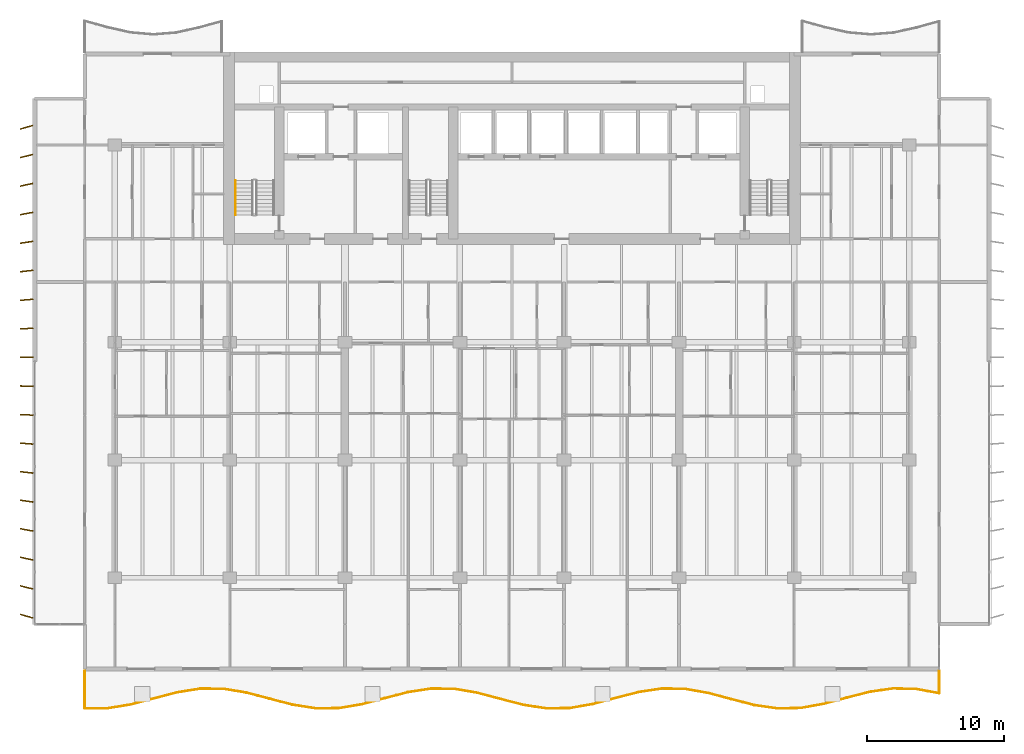
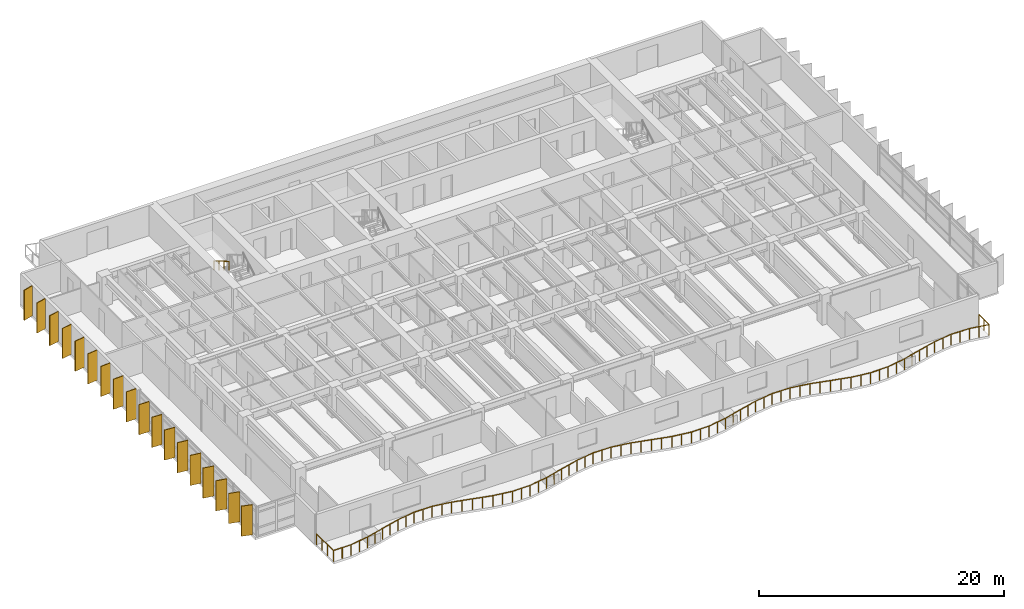
# One storey, part 16 of 19: 18 shading devices, 2 railings.
"""IFC4 building model written with IfcOpenShell, lengths in metres."""

from ifc_helpers import new_model, si_unit, direction, frame, origin, origin_2d, place, context, subcontext, project, spatial, rectangle, circle, extrude, material, material_profile, profile_set, type_object, element, save


model = new_model("IFC4")

# Units and contexts
model_context = context("Model", 3, precision=1e-05, world=origin(), true_north=direction((0.0, 1.0)))
body_context = subcontext(model_context, "Body", "Model", "MODEL_VIEW")
ifc_project = project(units=[si_unit("LENGTHUNIT", "METRE"), si_unit("AREAUNIT", "SQUARE_METRE"), si_unit("VOLUMEUNIT", "CUBIC_METRE"), si_unit("PLANEANGLEUNIT", "RADIAN"), si_unit("MASSUNIT", "GRAM", prefix="KILO")], contexts=[model_context])

# Site, building, storey
site_placement = place(None, origin())
site = spatial("IfcSite", under=ifc_project, at=site_placement, CompositionType="ELEMENT")
building_placement = place(site_placement, origin())
building = spatial("IfcBuilding", under=site, at=building_placement, Name="Caelmar Bay Residences", CompositionType="ELEMENT")
storey_placement = place(building_placement, frame((0.0, 0.0, 94.5)))
storey = spatial("IfcBuildingStorey", under=building, at=storey_placement, Name="L25", CompositionType="ELEMENT", Elevation=94.5)

# Railings
ifc_material_1 = material(Name="Anodised bronze handrail with laminated hurricane glass infill", Category="glass")
railing_type_1 = type_object("IfcRailingType", Name="RL-BAL-1100", PredefinedType="BALUSTRADE", material=ifc_material_1)
railing_1_placement = place(storey_placement, frame((7.699951171875, 5.39990234375, 0.0)))
element("IfcRailing", 1, at=railing_1_placement, inside=storey, type_object=railing_type_1, Name="L25 south Balcony Balustrade", PredefinedType="BALUSTRADE", context=body_context, shape_type="SweptSolid", body=[
    extrude(circle(Radius=0.02392578125, at=origin_2d()), frame((0.0, 0.0, 1.076171875), z_axis=(0.0, -1.0, 0.0), x_axis=(1.0, 0.0, 0.0)), (0.0, 0.0, 1.0), 2.733154296875),
    extrude(circle(Radius=0.02392578125, at=origin_2d()), frame((0.0, -2.733154296875, 1.076171875), z_axis=(0.999999958089, 0.000289519386, 0.0), x_axis=(-0.000289519386, 0.999999958089, 0.0)), (0.0, 0.0, 1.0), 1.6865234375),
    extrude(circle(Radius=0.02392578125, at=origin_2d()), frame((1.6865234375, -2.732666015625, 1.076171875), z_axis=(0.986974579676, 0.160876284991, 0.0), x_axis=(-0.160876284991, 0.986974579676, 0.0)), (0.0, 0.0, 1.0), 1.708740234375),
    extrude(circle(Radius=0.02392578125, at=origin_2d()), frame((3.373046875, -2.457763671875, 1.076171875), z_axis=(0.967139791751, 0.254245202927, 0.0), x_axis=(-0.254245202927, 0.967139791751, 0.0)), (0.0, 0.0, 1.0), 1.743896484375),
    extrude(circle(Radius=0.02392578125, at=origin_2d()), frame((5.0595703125, -2.014404296875, 1.076171875), z_axis=(0.967440029978, 0.253100352421, 0.0), x_axis=(-0.253100352421, 0.967440029978, 0.0)), (0.0, 0.0, 1.0), 1.742919921875),
    extrude(circle(Radius=0.02392578125, at=origin_2d()), frame((6.745849609375, -1.5732421875, 1.076171875), z_axis=(0.9874914269, 0.157672704672, 0.0), x_axis=(-0.157672704672, 0.9874914269, 0.0)), (0.0, 0.0, 1.0), 1.7080078125),
    extrude(circle(Radius=0.02392578125, at=origin_2d()), frame((8.432373046875, -1.303955078125, 1.076171875), z_axis=(0.999993451511, -0.003618968774, 0.0), x_axis=(0.003618968774, 0.999993451511, 0.0)), (0.0, 0.0, 1.0), 1.6865234375),
    extrude(circle(Radius=0.02392578125, at=origin_2d()), frame((10.118896484375, -1.31005859375, 1.076171875), z_axis=(0.986563231063, -0.163379898138, 0.0), x_axis=(0.163379898138, 0.986563231063, 0.0)), (0.0, 0.0, 1.0), 1.70947265625),
    extrude(circle(Radius=0.02392578125, at=origin_2d()), frame((11.805419921875, -1.58935546875, 1.076171875), z_axis=(0.966898439916, -0.255161530974, 0.0), x_axis=(0.255161530974, 0.966898439916, 0.0)), (0.0, 0.0, 1.0), 1.744140625),
    extrude(circle(Radius=0.02392578125, at=origin_2d()), frame((13.491943359375, -2.034423828125, 1.076171875), z_axis=(0.967688638473, -0.252148168682, 0.0), x_axis=(0.252148168682, 0.967688638473, 0.0)), (0.0, 0.0, 1.0), 1.742919921875),
    extrude(circle(Radius=0.02392578125, at=origin_2d()), frame((15.178466796875, -2.473876953125, 1.076171875), z_axis=(0.987910938924, -0.155022504023, 0.0), x_axis=(0.155022504023, 0.987910938924, 0.0)), (0.0, 0.0, 1.0), 1.707275390625),
    extrude(circle(Radius=0.02392578125, at=origin_2d()), frame((16.864990234375, -2.738525390625, 1.076171875), z_axis=(0.999975860287, 0.006948297813, 0.0), x_axis=(-0.006948297813, 0.999975860287, 0.0)), (0.0, 0.0, 1.0), 1.6865234375),
    extrude(circle(Radius=0.02392578125, at=origin_2d()), frame((18.551513671875, -2.726806640625, 1.076171875), z_axis=(0.986118588389, 0.166042553684, 0.0), x_axis=(-0.166042553684, 0.986118588389, 0.0)), (0.0, 0.0, 1.0), 1.7099609375),
    extrude(circle(Radius=0.02392578125, at=origin_2d()), frame((20.23779296875, -2.44287109375, 1.076171875), z_axis=(0.966690972381, 0.255946408292, 0.0), x_axis=(-0.255946408292, 0.966690972381, 0.0)), (0.0, 0.0, 1.0), 1.74462890625),
    extrude(circle(Radius=0.02392578125, at=origin_2d()), frame((21.92431640625, -1.996337890625, 1.076171875), z_axis=(0.967927523166, 0.251229595981, 0.0), x_axis=(-0.251229595981, 0.967927523166, 0.0)), (0.0, 0.0, 1.0), 1.742431640625),
    extrude(circle(Radius=0.02392578125, at=origin_2d()), frame((23.61083984375, -1.55859375, 1.076171875), z_axis=(0.988323683, 0.152368952287, 0.0), x_axis=(-0.152368952287, 0.988323683, 0.0)), (0.0, 0.0, 1.0), 1.70654296875),
    extrude(circle(Radius=0.02392578125, at=origin_2d()), frame((25.29736328125, -1.298583984375, 1.076171875), z_axis=(0.999945688105, -0.010422132244, 0.0), x_axis=(0.010422132244, 0.999945688105, 0.0)), (0.0, 0.0, 1.0), 1.6865234375),
    extrude(circle(Radius=0.02392578125, at=origin_2d()), frame((26.98388671875, -1.316162109375, 1.076171875), z_axis=(0.985698872847, -0.168516266478, 0.0), x_axis=(0.168516266478, 0.985698872847, 0.0)), (0.0, 0.0, 1.0), 1.7109375),
    extrude(circle(Radius=0.02392578125, at=origin_2d()), frame((28.67041015625, -1.6044921875, 1.076171875), z_axis=(0.966448234949, -0.256861459086, 0.0), x_axis=(0.256861459086, 0.966448234949, 0.0)), (0.0, 0.0, 1.0), 1.7451171875),
    extrude(circle(Radius=0.02392578125, at=origin_2d()), frame((30.35693359375, -2.052734375, 1.076171875), z_axis=(0.968224786027, -0.250081514156, 0.0), x_axis=(0.250081514156, 0.968224786027, 0.0)), (0.0, 0.0, 1.0), 1.74169921875),
    extrude(circle(Radius=0.02392578125, at=origin_2d()), frame((32.043212890625, -2.48828125, 1.076171875), z_axis=(0.988729632771, -0.149712101314, 0.0), x_axis=(0.149712101314, 0.988729632771, 0.0)), (0.0, 0.0, 1.0), 1.705810546875),
    extrude(circle(Radius=0.02392578125, at=origin_2d()), frame((33.729736328125, -2.74365234375, 1.076171875), z_axis=(0.999905452302, 0.013750871159, 0.0), x_axis=(-0.013750871159, 0.999905452302, 0.0)), (0.0, 0.0, 1.0), 1.686767578125),
    extrude(circle(Radius=0.02392578125, at=origin_2d()), frame((35.416259765625, -2.720458984375, 1.076171875), z_axis=(0.985269273516, 0.17101011276, 0.0), x_axis=(-0.17101011276, 0.985269273516, 0.0)), (0.0, 0.0, 1.0), 1.711669921875),
    extrude(circle(Radius=0.02392578125, at=origin_2d()), frame((37.102783203125, -2.427734375, 1.076171875), z_axis=(0.966239582517, 0.257645238998, 0.0), x_axis=(-0.257645238998, 0.966239582517, 0.0)), (0.0, 0.0, 1.0), 1.745361328125),
    extrude(circle(Radius=0.02392578125, at=origin_2d()), frame((38.789306640625, -1.97802734375, 1.076171875), z_axis=(0.968504525457, 0.248995952115, 0.0), x_axis=(-0.248995952115, 0.968504525457, 0.0)), (0.0, 0.0, 1.0), 1.741455078125),
    extrude(circle(Radius=0.02392578125, at=origin_2d()), frame((40.475830078125, -1.54443359375, 1.076171875), z_axis=(0.989149579657, 0.146911909196, 0.0), x_axis=(-0.146911909196, 0.989149579657, 0.0)), (0.0, 0.0, 1.0), 1.705078125),
    extrude(circle(Radius=0.02392578125, at=origin_2d()), frame((42.162353515625, -1.2939453125, 1.076171875), z_axis=(0.999856560301, -0.016936907131, 0.0), x_axis=(0.016936907131, 0.999856560301, 0.0)), (0.0, 0.0, 1.0), 1.6865234375),
    extrude(circle(Radius=0.02392578125, at=origin_2d()), frame((43.8486328125, -1.322509765625, 1.076171875), z_axis=(0.984833750045, -0.173500676578, 0.0), x_axis=(0.173500676578, 0.984833750045, 0.0)), (0.0, 0.0, 1.0), 1.71240234375),
    extrude(circle(Radius=0.02392578125, at=origin_2d()), frame((45.53515625, -1.61962890625, 1.076171875), z_axis=(0.966030385071, -0.258428510656, 0.0), x_axis=(0.258428510656, 0.966030385071, 0.0)), (0.0, 0.0, 1.0), 1.745849609375),
    extrude(circle(Radius=0.02392578125, at=origin_2d()), frame((47.2216796875, -2.07080078125, 1.076171875), z_axis=(0.968808185874, -0.24781182172, 0.0), x_axis=(0.24781182172, 0.968808185874, 0.0)), (0.0, 0.0, 1.0), 1.74072265625),
    extrude(circle(Radius=0.02392578125, at=origin_2d()), frame((48.908203125, -2.502197265625, 1.076171875), z_axis=(0.989521045856, -0.144388710802, 0.0), x_axis=(0.144388710802, 0.989521045856, 0.0)), (0.0, 0.0, 1.0), 1.704345703125),
    extrude(circle(Radius=0.02392578125, at=origin_2d()), frame((50.5947265625, -2.748291015625, 1.076171875), z_axis=(0.999791758205, 0.020406867097, 0.0), x_axis=(-0.020406867097, 0.999791758205, 0.0)), (0.0, 0.0, 1.0), 1.686767578125),
    extrude(circle(Radius=0.02392578125, at=origin_2d()), frame((52.28125, -2.7138671875, 1.076171875), z_axis=(0.984387912567, 0.176012606344, 0.0), x_axis=(-0.176012606344, 0.984387912567, 0.0)), (0.0, 0.0, 1.0), 1.713134765625),
    extrude(circle(Radius=0.02392578125, at=origin_2d()), frame((53.967529296875, -2.412353515625, 1.076171875), z_axis=(0.965855638387, 0.259080847992, 0.0), x_axis=(-0.259080847992, 0.965855638387, 0.0)), (0.0, 0.0, 1.0), 1.74609375),
    extrude(circle(Radius=0.02392578125, at=origin_2d()), frame((55.654052734375, -1.9599609375, 1.076171875), z_axis=(0.969077049344, 0.246758327996, 0.0), x_axis=(-0.246758327996, 0.969077049344, 0.0)), (0.0, 0.0, 1.0), 1.740234375),
    extrude(circle(Radius=0.02392578125, at=origin_2d()), frame((57.340576171875, -1.530517578125, 1.076171875), z_axis=(0.98994662737, 0.141441418821, 0.0), x_axis=(-0.141441418821, 0.98994662737, 0.0)), (0.0, 0.0, 1.0), 1.70361328125),
    extrude(circle(Radius=0.02392578125, at=origin_2d()), frame((59.027099609375, -1.28955078125, 1.076171875), z_axis=(0.999718311246, -0.023733903162, 0.0), x_axis=(0.023733903162, 0.999718311246, 0.0)), (0.0, 0.0, 1.0), 1.68701171875),
    extrude(circle(Radius=0.02392578125, at=origin_2d()), frame((60.713623046875, -1.32958984375, 1.076171875), z_axis=(0.983970032718, -0.17833388549, 0.0), x_axis=(0.17833388549, 0.983970032718, 0.0)), (0.0, 0.0, 1.0), 1.714111328125),
    extrude(circle(Radius=0.02392578125, at=origin_2d()), frame((62.400146484375, -1.63525390625, 1.076171875), z_axis=(0.0, 1.0, 0.0), x_axis=(-1.0, 0.0, 0.0)), (0.0, 0.0, 1.0), 1.63525390625),
    extrude(circle(Radius=0.02099609375, at=origin_2d()), origin(), (0.0, 0.0, 1.0), 1.052001953125),
    extrude(circle(Radius=0.02099609375, at=origin_2d()), frame((0.0, -0.9111328125, 0.0)), (0.0, 0.0, 1.0), 1.052001953125),
    extrude(circle(Radius=0.02099609375, at=origin_2d()), frame((0.0, -1.822021484375, 0.0)), (0.0, 0.0, 1.0), 1.052001953125),
    extrude(circle(Radius=0.02099609375, at=origin_2d()), frame((0.0, -2.733154296875, 0.0)), (0.0, 0.0, 1.0), 1.052001953125),
    extrude(circle(Radius=0.02099609375, at=origin_2d()), frame((0.84326171875, -2.73291015625, 0.0)), (0.0, 0.0, 1.0), 1.052001953125),
    extrude(circle(Radius=0.02099609375, at=origin_2d()), frame((1.6865234375, -2.732666015625, 0.0)), (0.0, 0.0, 1.0), 1.052001953125),
    extrude(circle(Radius=0.02099609375, at=origin_2d()), frame((2.52978515625, -2.59521484375, 0.0)), (0.0, 0.0, 1.0), 1.052001953125),
    extrude(circle(Radius=0.02099609375, at=origin_2d()), frame((3.373046875, -2.457763671875, 0.0)), (0.0, 0.0, 1.0), 1.052001953125),
    extrude(circle(Radius=0.02099609375, at=origin_2d()), frame((4.21630859375, -2.236083984375, 0.0)), (0.0, 0.0, 1.0), 1.052001953125),
    extrude(circle(Radius=0.02099609375, at=origin_2d()), frame((5.0595703125, -2.014404296875, 0.0)), (0.0, 0.0, 1.0), 1.052001953125),
    extrude(circle(Radius=0.02099609375, at=origin_2d()), frame((5.90283203125, -1.7939453125, 0.0)), (0.0, 0.0, 1.0), 1.052001953125),
    extrude(circle(Radius=0.02099609375, at=origin_2d()), frame((6.745849609375, -1.5732421875, 0.0)), (0.0, 0.0, 1.0), 1.052001953125),
    extrude(circle(Radius=0.02099609375, at=origin_2d()), frame((7.589111328125, -1.4384765625, 0.0)), (0.0, 0.0, 1.0), 1.052001953125),
    extrude(circle(Radius=0.02099609375, at=origin_2d()), frame((8.432373046875, -1.303955078125, 0.0)), (0.0, 0.0, 1.0), 1.052001953125),
    extrude(circle(Radius=0.02099609375, at=origin_2d()), frame((9.275634765625, -1.30712890625, 0.0)), (0.0, 0.0, 1.0), 1.052001953125),
    extrude(circle(Radius=0.02099609375, at=origin_2d()), frame((10.118896484375, -1.31005859375, 0.0)), (0.0, 0.0, 1.0), 1.052001953125),
    extrude(circle(Radius=0.02099609375, at=origin_2d()), frame((10.962158203125, -1.44970703125, 0.0)), (0.0, 0.0, 1.0), 1.052001953125),
    extrude(circle(Radius=0.02099609375, at=origin_2d()), frame((11.805419921875, -1.58935546875, 0.0)), (0.0, 0.0, 1.0), 1.052001953125),
    extrude(circle(Radius=0.02099609375, at=origin_2d()), frame((12.648681640625, -1.81201171875, 0.0)), (0.0, 0.0, 1.0), 1.052001953125),
    extrude(circle(Radius=0.02099609375, at=origin_2d()), frame((13.491943359375, -2.034423828125, 0.0)), (0.0, 0.0, 1.0), 1.052001953125),
    extrude(circle(Radius=0.02099609375, at=origin_2d()), frame((14.335205078125, -2.254150390625, 0.0)), (0.0, 0.0, 1.0), 1.052001953125),
    extrude(circle(Radius=0.02099609375, at=origin_2d()), frame((15.178466796875, -2.473876953125, 0.0)), (0.0, 0.0, 1.0), 1.052001953125),
    extrude(circle(Radius=0.02099609375, at=origin_2d()), frame((16.021728515625, -2.606201171875, 0.0)), (0.0, 0.0, 1.0), 1.052001953125),
    extrude(circle(Radius=0.02099609375, at=origin_2d()), frame((16.864990234375, -2.738525390625, 0.0)), (0.0, 0.0, 1.0), 1.052001953125),
    extrude(circle(Radius=0.02099609375, at=origin_2d()), frame((17.708251953125, -2.732666015625, 0.0)), (0.0, 0.0, 1.0), 1.052001953125),
    extrude(circle(Radius=0.02099609375, at=origin_2d()), frame((18.551513671875, -2.726806640625, 0.0)), (0.0, 0.0, 1.0), 1.052001953125),
    extrude(circle(Radius=0.02099609375, at=origin_2d()), frame((19.39453125, -2.5849609375, 0.0)), (0.0, 0.0, 1.0), 1.052001953125),
    extrude(circle(Radius=0.02099609375, at=origin_2d()), frame((20.23779296875, -2.44287109375, 0.0)), (0.0, 0.0, 1.0), 1.052001953125),
    extrude(circle(Radius=0.02099609375, at=origin_2d()), frame((21.0810546875, -2.2197265625, 0.0)), (0.0, 0.0, 1.0), 1.052001953125),
    extrude(circle(Radius=0.02099609375, at=origin_2d()), frame((21.92431640625, -1.996337890625, 0.0)), (0.0, 0.0, 1.0), 1.052001953125),
    extrude(circle(Radius=0.02099609375, at=origin_2d()), frame((22.767578125, -1.77734375, 0.0)), (0.0, 0.0, 1.0), 1.052001953125),
    extrude(circle(Radius=0.02099609375, at=origin_2d()), frame((23.61083984375, -1.55859375, 0.0)), (0.0, 0.0, 1.0), 1.052001953125),
    extrude(circle(Radius=0.02099609375, at=origin_2d()), frame((24.4541015625, -1.4287109375, 0.0)), (0.0, 0.0, 1.0), 1.052001953125),
    extrude(circle(Radius=0.02099609375, at=origin_2d()), frame((25.29736328125, -1.298583984375, 0.0)), (0.0, 0.0, 1.0), 1.052001953125),
    extrude(circle(Radius=0.02099609375, at=origin_2d()), frame((26.140625, -1.307373046875, 0.0)), (0.0, 0.0, 1.0), 1.052001953125),
    extrude(circle(Radius=0.02099609375, at=origin_2d()), frame((26.98388671875, -1.316162109375, 0.0)), (0.0, 0.0, 1.0), 1.052001953125),
    extrude(circle(Radius=0.02099609375, at=origin_2d()), frame((27.8271484375, -1.46044921875, 0.0)), (0.0, 0.0, 1.0), 1.052001953125),
    extrude(circle(Radius=0.02099609375, at=origin_2d()), frame((28.67041015625, -1.6044921875, 0.0)), (0.0, 0.0, 1.0), 1.052001953125),
    extrude(circle(Radius=0.02099609375, at=origin_2d()), frame((29.513671875, -1.82861328125, 0.0)), (0.0, 0.0, 1.0), 1.052001953125),
    extrude(circle(Radius=0.02099609375, at=origin_2d()), frame((30.35693359375, -2.052734375, 0.0)), (0.0, 0.0, 1.0), 1.052001953125),
    extrude(circle(Radius=0.02099609375, at=origin_2d()), frame((31.2001953125, -2.2705078125, 0.0)), (0.0, 0.0, 1.0), 1.052001953125),
    extrude(circle(Radius=0.02099609375, at=origin_2d()), frame((32.043212890625, -2.48828125, 0.0)), (0.0, 0.0, 1.0), 1.052001953125),
    extrude(circle(Radius=0.02099609375, at=origin_2d()), frame((32.886474609375, -2.615966796875, 0.0)), (0.0, 0.0, 1.0), 1.052001953125),
    extrude(circle(Radius=0.02099609375, at=origin_2d()), frame((33.729736328125, -2.74365234375, 0.0)), (0.0, 0.0, 1.0), 1.052001953125),
    extrude(circle(Radius=0.02099609375, at=origin_2d()), frame((34.572998046875, -2.73193359375, 0.0)), (0.0, 0.0, 1.0), 1.052001953125),
    extrude(circle(Radius=0.02099609375, at=origin_2d()), frame((35.416259765625, -2.720458984375, 0.0)), (0.0, 0.0, 1.0), 1.052001953125),
    extrude(circle(Radius=0.02099609375, at=origin_2d()), frame((36.259521484375, -2.57421875, 0.0)), (0.0, 0.0, 1.0), 1.052001953125),
    extrude(circle(Radius=0.02099609375, at=origin_2d()), frame((37.102783203125, -2.427734375, 0.0)), (0.0, 0.0, 1.0), 1.052001953125),
    extrude(circle(Radius=0.02099609375, at=origin_2d()), frame((37.946044921875, -2.202880859375, 0.0)), (0.0, 0.0, 1.0), 1.052001953125),
    extrude(circle(Radius=0.02099609375, at=origin_2d()), frame((38.789306640625, -1.97802734375, 0.0)), (0.0, 0.0, 1.0), 1.052001953125),
    extrude(circle(Radius=0.02099609375, at=origin_2d()), frame((39.632568359375, -1.76123046875, 0.0)), (0.0, 0.0, 1.0), 1.052001953125),
    extrude(circle(Radius=0.02099609375, at=origin_2d()), frame((40.475830078125, -1.54443359375, 0.0)), (0.0, 0.0, 1.0), 1.052001953125),
    extrude(circle(Radius=0.02099609375, at=origin_2d()), frame((41.319091796875, -1.419189453125, 0.0)), (0.0, 0.0, 1.0), 1.052001953125),
    extrude(circle(Radius=0.02099609375, at=origin_2d()), frame((42.162353515625, -1.2939453125, 0.0)), (0.0, 0.0, 1.0), 1.052001953125),
    extrude(circle(Radius=0.02099609375, at=origin_2d()), frame((43.00537109375, -1.30810546875, 0.0)), (0.0, 0.0, 1.0), 1.052001953125),
    extrude(circle(Radius=0.02099609375, at=origin_2d()), frame((43.8486328125, -1.322509765625, 0.0)), (0.0, 0.0, 1.0), 1.052001953125),
    extrude(circle(Radius=0.02099609375, at=origin_2d()), frame((44.69189453125, -1.47119140625, 0.0)), (0.0, 0.0, 1.0), 1.052001953125),
    extrude(circle(Radius=0.02099609375, at=origin_2d()), frame((45.53515625, -1.61962890625, 0.0)), (0.0, 0.0, 1.0), 1.052001953125),
    extrude(circle(Radius=0.02099609375, at=origin_2d()), frame((46.37841796875, -1.84521484375, 0.0)), (0.0, 0.0, 1.0), 1.052001953125),
    extrude(circle(Radius=0.02099609375, at=origin_2d()), frame((47.2216796875, -2.07080078125, 0.0)), (0.0, 0.0, 1.0), 1.052001953125),
    extrude(circle(Radius=0.02099609375, at=origin_2d()), frame((48.06494140625, -2.28662109375, 0.0)), (0.0, 0.0, 1.0), 1.052001953125),
    extrude(circle(Radius=0.02099609375, at=origin_2d()), frame((48.908203125, -2.502197265625, 0.0)), (0.0, 0.0, 1.0), 1.052001953125),
    extrude(circle(Radius=0.02099609375, at=origin_2d()), frame((49.75146484375, -2.625244140625, 0.0)), (0.0, 0.0, 1.0), 1.052001953125),
    extrude(circle(Radius=0.02099609375, at=origin_2d()), frame((50.5947265625, -2.748291015625, 0.0)), (0.0, 0.0, 1.0), 1.052001953125),
    extrude(circle(Radius=0.02099609375, at=origin_2d()), frame((51.43798828125, -2.73095703125, 0.0)), (0.0, 0.0, 1.0), 1.052001953125),
    extrude(circle(Radius=0.02099609375, at=origin_2d()), frame((52.28125, -2.7138671875, 0.0)), (0.0, 0.0, 1.0), 1.052001953125),
    extrude(circle(Radius=0.02099609375, at=origin_2d()), frame((53.12451171875, -2.56298828125, 0.0)), (0.0, 0.0, 1.0), 1.052001953125),
    extrude(circle(Radius=0.02099609375, at=origin_2d()), frame((53.967529296875, -2.412353515625, 0.0)), (0.0, 0.0, 1.0), 1.052001953125),
    extrude(circle(Radius=0.02099609375, at=origin_2d()), frame((54.810791015625, -2.18603515625, 0.0)), (0.0, 0.0, 1.0), 1.052001953125),
    extrude(circle(Radius=0.02099609375, at=origin_2d()), frame((55.654052734375, -1.9599609375, 0.0)), (0.0, 0.0, 1.0), 1.052001953125),
    extrude(circle(Radius=0.02099609375, at=origin_2d()), frame((56.497314453125, -1.7451171875, 0.0)), (0.0, 0.0, 1.0), 1.052001953125),
    extrude(circle(Radius=0.02099609375, at=origin_2d()), frame((57.340576171875, -1.530517578125, 0.0)), (0.0, 0.0, 1.0), 1.052001953125),
    extrude(circle(Radius=0.02099609375, at=origin_2d()), frame((58.183837890625, -1.41015625, 0.0)), (0.0, 0.0, 1.0), 1.052001953125),
    extrude(circle(Radius=0.02099609375, at=origin_2d()), frame((59.027099609375, -1.28955078125, 0.0)), (0.0, 0.0, 1.0), 1.052001953125),
    extrude(circle(Radius=0.02099609375, at=origin_2d()), frame((59.870361328125, -1.3095703125, 0.0)), (0.0, 0.0, 1.0), 1.052001953125),
    extrude(circle(Radius=0.02099609375, at=origin_2d()), frame((60.713623046875, -1.32958984375, 0.0)), (0.0, 0.0, 1.0), 1.052001953125),
    extrude(circle(Radius=0.02099609375, at=origin_2d()), frame((61.556884765625, -1.482421875, 0.0)), (0.0, 0.0, 1.0), 1.052001953125),
    extrude(circle(Radius=0.02099609375, at=origin_2d()), frame((62.400146484375, -1.63525390625, 0.0)), (0.0, 0.0, 1.0), 1.052001953125),
    extrude(circle(Radius=0.02099609375, at=origin_2d()), frame((62.400146484375, -0.817626953125, 0.0)), (0.0, 0.0, 1.0), 1.052001953125),
    extrude(circle(Radius=0.02099609375, at=origin_2d()), frame((62.400146484375, 0.0, 0.0)), (0.0, 0.0, 1.0), 1.052001953125),
])
ifc_material_2 = material(Name="Brushed bronze stainless-steel tubular handrail 900 mm", Category="steel")
railing_type_2 = type_object("IfcRailingType", Name="RL-HND-900", PredefinedType="HANDRAIL", material=ifc_material_2)
railing_2_placement = place(storey_placement, frame((18.699951171875, 41.219970703125, 1.81494140625)))
element("IfcRailing", 2, at=railing_2_placement, inside=storey, type_object=railing_type_2, Name="L25 ST1 stair handrail 2", PredefinedType="HANDRAIL", context=body_context, shape_type="SweptSolid", body=[
    extrude(circle(Radius=0.02392578125, at=origin_2d()), frame((0.0, 0.0, 0.8759765625), z_axis=(0.0, -0.86152411907, 0.507716645641), x_axis=(1.0, 0.0, 0.0)), (0.0, 0.0, 1.0), 2.925048828125),
    extrude(circle(Radius=0.02099609375, at=origin_2d()), origin(), (0.0, 0.0, 1.0), 0.851806640625),
    extrude(circle(Radius=0.02099609375, at=origin_2d()), frame((0.0, -0.840087890625, 0.4951171875)), (0.0, 0.0, 1.0), 0.851806640625),
    extrude(circle(Radius=0.02099609375, at=origin_2d()), frame((0.0, -1.679931640625, 0.989990234375)), (0.0, 0.0, 1.0), 0.851806640625),
    extrude(circle(Radius=0.02099609375, at=origin_2d()), frame((0.0, -2.52001953125, 1.485107421875)), (0.0, 0.0, 1.0), 0.851806640625),
])

# Shading devices
ifc_material_3 = material(Name="Anodised architectural bronze aluminium 6063-T6", Category="aluminium")
ifc_material_profile = material_profile(ifc_material_3, rectangle(XDim=0.074951171875, YDim=0.949951171875, at=origin_2d()), Name="BRONZE-FIN-75X950")
ifc_profile_set = profile_set([ifc_material_profile], Name="Anodised architectural bronze aluminium 6063-T6")
shading_device_type = type_object("IfcShadingDeviceType", Name="SHD-FIN-950", PredefinedType="USERDEFINED", material=ifc_profile_set)
for number, where, z_axis, x_axis, name in (
    (3, (3.449951171875, 9.39990234375, 0.0), (0.0, 0.0, 1.0), (0.275637355817, 0.961261695938, 0.0), "L25 West Bronze Solar Fin 1"),
    (4, (3.449951171875, 11.5, 0.0), (0.0, 0.0, 1.0), (0.243953546137, 0.969786918517, 0.0), "L25 West Bronze Solar Fin 2"),
    (5, (3.449951171875, 13.60009765625, 0.0), (0.0, 0.0, 1.0), (0.212007109922, 0.977268123568, 0.0), "L25 West Bronze Solar Fin 3"),
    (6, (3.449951171875, 15.699951171875, 0.0), (0.0, 0.0, 1.0), (0.179660748593, 0.98372862895, 0.0), "L25 West Bronze Solar Fin 4"),
    (7, (3.449951171875, 17.800048828125, 0.0), (0.0, 0.0, 1.0), (0.147291543397, 0.989093120613, 0.0), "L25 West Bronze Solar Fin 5"),
    (8, (3.449951171875, 19.89990234375, 0.0), (0.0, 0.0, 1.0), (0.114763772489, 0.993392810787, 0.0), "L25 West Bronze Solar Fin 6"),
    (9, (3.449951171875, 22.0, 0.0), (0.0, 0.0, 1.0), (0.08211245342, 0.996623070671, 0.0), "L25 West Bronze Solar Fin 7"),
    (10, (3.449951171875, 24.10009765625, 0.0), (0.0, 0.0, 1.0), (0.049198415926, 0.998789024705, 0.0), "L25 West Bronze Solar Fin 8"),
    (11, (3.449951171875, 26.199951171875, 0.0), (0.0, 0.0, 1.0), (0.016405359001, 0.999865423043, 0.0), "L25 West Bronze Solar Fin 9"),
    (12, (3.449951171875, 28.300048828125, 0.0), (0.0, 0.0, 1.0), (-0.016405359001, 0.999865423043, 0.0), "L25 West Bronze Solar Fin 10"),
    (13, (3.449951171875, 30.39990234375, 0.0), (0.0, 0.0, 1.0), (-0.049198415926, 0.998789024705, 0.0), "L25 West Bronze Solar Fin 11"),
    (14, (3.449951171875, 32.5, 0.0), (0.0, 0.0, 1.0), (-0.08211245342, 0.996623070671, 0.0), "L25 West Bronze Solar Fin 12"),
    (15, (3.449951171875, 34.60009765625, 0.0), (0.0, 0.0, 1.0), (-0.114763772489, 0.993392810787, 0.0), "L25 West Bronze Solar Fin 13"),
    (16, (3.449951171875, 36.699951171875, 0.0), (0.0, 0.0, 1.0), (-0.147291543397, 0.989093120613, 0.0), "L25 West Bronze Solar Fin 14"),
    (17, (3.449951171875, 38.800048828125, 0.0), (0.0, 0.0, 1.0), (-0.179660748593, 0.98372862895, 0.0), "L25 West Bronze Solar Fin 15"),
    (18, (3.449951171875, 40.89990234375, 0.0), (0.0, 0.0, 1.0), (-0.212007109922, 0.977268123568, 0.0), "L25 West Bronze Solar Fin 16"),
    (19, (3.449951171875, 43.0, 0.0), (0.0, 0.0, 1.0), (-0.243953546137, 0.969786918517, 0.0), "L25 West Bronze Solar Fin 17"),
    (20, (3.449951171875, 45.10009765625, 0.0), (0.0, 0.0, 1.0), (-0.275637355817, 0.961261695938, 0.0), "L25 West Bronze Solar Fin 18"),
):
    element("IfcShadingDevice", number, at=place(storey_placement, frame(where, z_axis=z_axis, x_axis=x_axis)), inside=storey, type_object=shading_device_type, Name=name, ObjectType="FIN", PredefinedType="USERDEFINED", context=body_context, shape_type="SweptSolid", body=[
        extrude(rectangle(XDim=0.074951171875, YDim=0.949951171875, at=origin_2d()), origin(), (0.0, 0.0, 1.0), 3.0),
    ])

save(model, "model.ifc")
